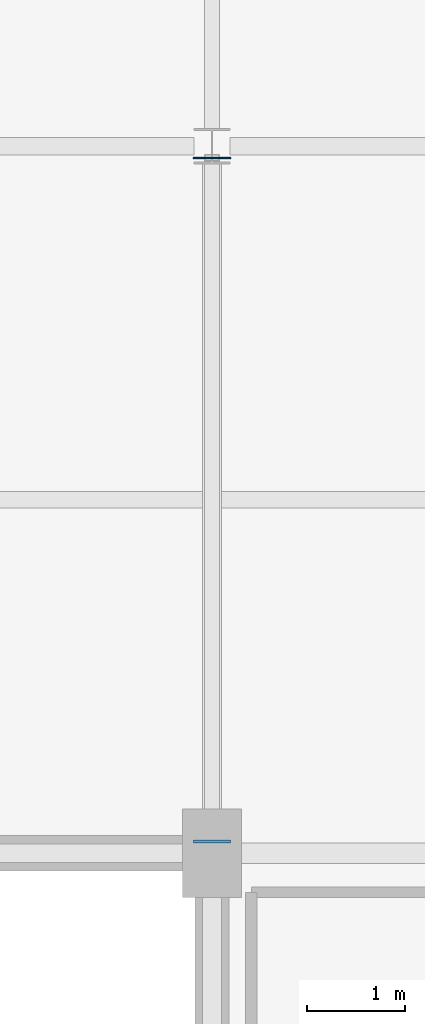
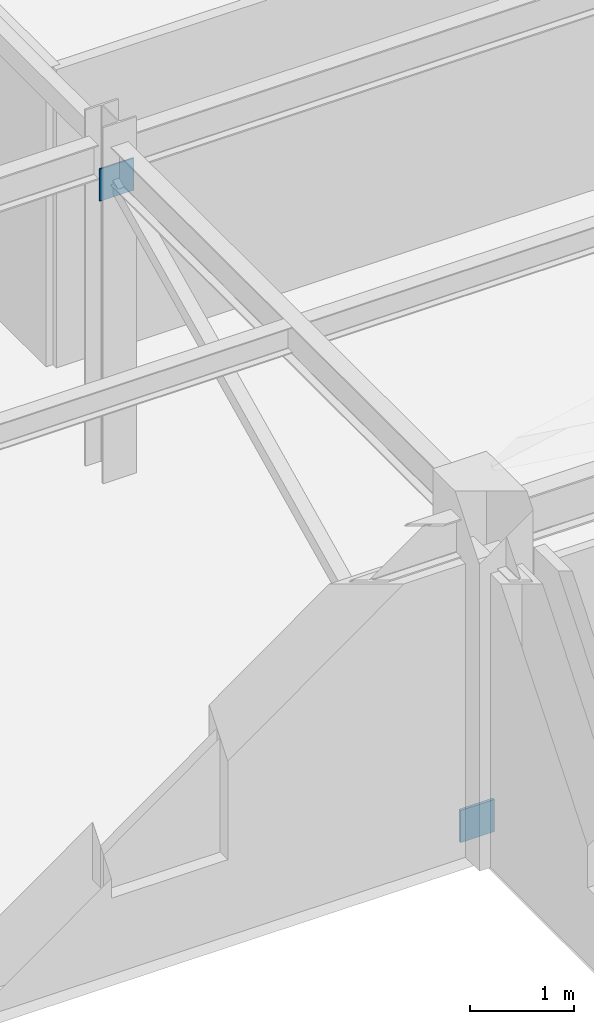
# One storey, part 83 of 113: 2 plates.
"""IFC4 building model written with IfcOpenShell, lengths in metres."""

from ifc_helpers import new_model, si_unit, direction, frame, origin, origin_2d, place, context, subcontext, project, spatial, rectangle, extrude, material, layer, layer_set, type_object, element, save


model = new_model("IFC4")

# Units and contexts
model_context = context("Model", 3, precision=1e-05, world=origin(), true_north=direction((0.0, 1.0)))
body_context = subcontext(model_context, "Body", "Model", "MODEL_VIEW")
ifc_project = project(units=[si_unit("LENGTHUNIT", "METRE"), si_unit("AREAUNIT", "SQUARE_METRE"), si_unit("VOLUMEUNIT", "CUBIC_METRE"), si_unit("PLANEANGLEUNIT", "RADIAN"), si_unit("MASSUNIT", "GRAM", prefix="KILO")], contexts=[model_context])

# Site, building, storey
site_placement = place(None, origin())
site = spatial("IfcSite", under=ifc_project, at=site_placement, CompositionType="ELEMENT")
building_placement = place(site_placement, origin())
building = spatial("IfcBuilding", under=site, at=building_placement, Name="Carrowvane Square Congress Hotel", CompositionType="ELEMENT")
storey_placement = place(building_placement, frame((0.0, 0.0, 15.0)))
storey = spatial("IfcBuildingStorey", under=building, at=storey_placement, Name="L03", CompositionType="ELEMENT", Elevation=15.0)

# Plates
ifc_material_1 = material(Name="Steel S355", Category="steel")
ifc_layer_1 = layer(ifc_material_1, 0.030029296875)
ifc_layer_set_1 = layer_set([ifc_layer_1], Name="Steel S355")
plate_type_1 = type_object("IfcPlateType", Name="PLT-GUS-30", PredefinedType="USERDEFINED", material=ifc_layer_set_1)
plate_1_placement = place(storey_placement, frame((134.0, 55.919921875, -0.0400390625), z_axis=(0.0, 0.0, 1.0), x_axis=(1.0, 0.0, 0.0)))
element("IfcPlate", 1, at=plate_1_placement, inside=storey, type_object=plate_type_1, Name="L03 brace connection end plate 283", ObjectType="GUSSET PLATE", PredefinedType="USERDEFINED", context=body_context, shape_type="SweptSolid", body=[
    extrude(rectangle(XDim=0.3798828125, YDim=0.030029296875, at=origin_2d()), origin(), (0.0, 0.0, 1.0), 0.3798828125),
])
ifc_material_2 = material(Name="Steel S355", Category="steel")
ifc_layer_2 = layer(ifc_material_2, 0.01611328125)
ifc_layer_set_2 = layer_set([ifc_layer_2], Name="Steel S355")
plate_type_2 = type_object("IfcPlateType", Name="PLT-STF-16", PredefinedType="USERDEFINED", material=ifc_layer_set_2)
plate_2_placement = place(storey_placement, frame((134.0, 62.8798828125, 3.300048828125), z_axis=(0.0, 0.0, 1.0), x_axis=(1.0, 0.0, 0.0)))
element("IfcPlate", 2, at=plate_2_placement, inside=storey, type_object=plate_type_2, Name="L03 brace connection end plate 284", ObjectType="STIFFENER PLATE", PredefinedType="USERDEFINED", context=body_context, shape_type="SweptSolid", body=[
    extrude(rectangle(XDim=0.3798828125, YDim=0.01611328125, at=origin_2d()), origin(), (0.0, 0.0, 1.0), 0.3798828125),
])

save(model, "model.ifc")
